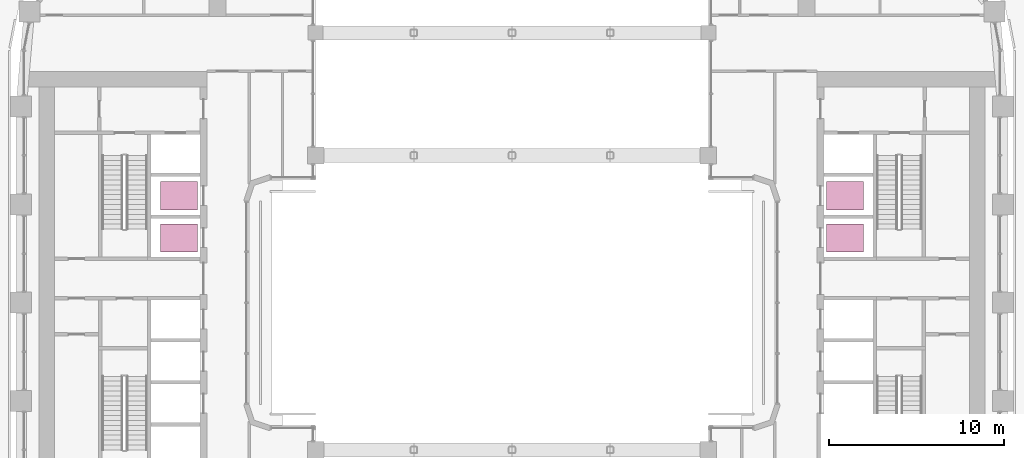
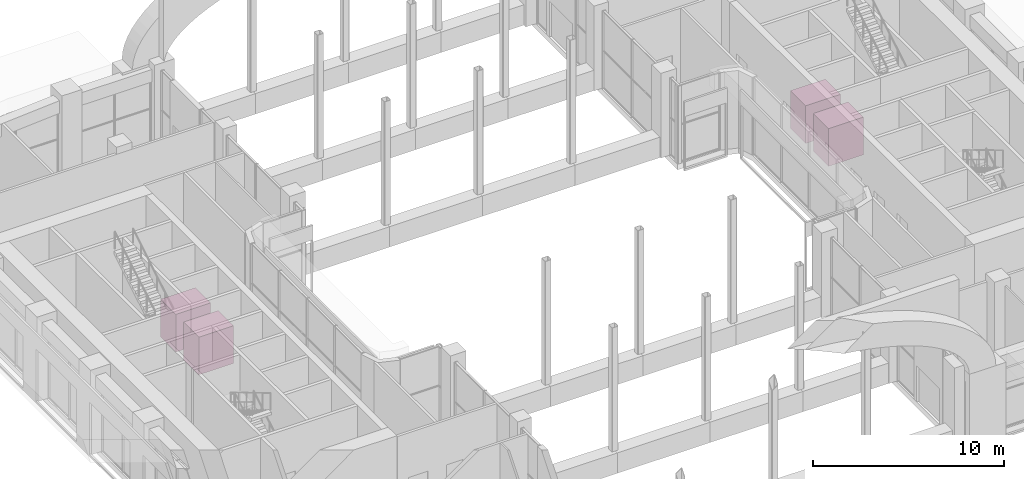
# One storey, part 28 of 28: 4 transport elements.
"""IFC4 building model written with IfcOpenShell, lengths in metres."""

from ifc_helpers import new_model, si_unit, direction, frame, origin, origin_2d, place, context, subcontext, project, spatial, rectangle, extrude, material, type_object, element, save


model = new_model("IFC4")

# Units and contexts
model_context = context("Model", 3, precision=1e-05, world=origin(), true_north=direction((0.0, 1.0)))
body_context = subcontext(model_context, "Body", "Model", "MODEL_VIEW")
ifc_project = project(units=[si_unit("LENGTHUNIT", "METRE"), si_unit("AREAUNIT", "SQUARE_METRE"), si_unit("VOLUMEUNIT", "CUBIC_METRE"), si_unit("PLANEANGLEUNIT", "RADIAN"), si_unit("MASSUNIT", "GRAM", prefix="KILO")], contexts=[model_context])

# Site, building, storey
site_placement = place(None, origin())
site = spatial("IfcSite", under=ifc_project, at=site_placement, CompositionType="ELEMENT")
building_placement = place(site_placement, origin())
building = spatial("IfcBuilding", under=site, at=building_placement, Name="Kiln Ring Residences", CompositionType="ELEMENT")
storey_placement = place(building_placement, frame((0.0, 0.0, 125.300048828125)))
storey = spatial("IfcBuildingStorey", under=building, at=storey_placement, Name="L32", CompositionType="ELEMENT", Elevation=125.300048828125)

# Transport elements
ifc_material = material(Name="Brushed stainless steel", Category="steel")
transport_element_type = type_object("IfcTransportElementType", Name="CORE-LIFT-MID", PredefinedType="ELEVATOR", material=ifc_material)
for number, where, z_axis, x_axis, name in (
    (1, (-19.0, 3.699951171875, 0.0), (0.0, 0.0, 1.0), (1.0, 0.0, 0.0), "Lift W-M1"),
    (2, (-19.0, 6.10009765625, 0.0), (0.0, 0.0, 1.0), (1.0, 0.0, 0.0), "Lift W-M2"),
    (3, (19.0, 3.699951171875, 0.0), (0.0, 0.0, 1.0), (1.0, 0.0, 0.0), "Lift E-M1"),
    (4, (19.0, 6.10009765625, 0.0), (0.0, 0.0, 1.0), (1.0, 0.0, 0.0), "Lift E-M2"),
):
    element("IfcTransportElement", number, at=place(storey_placement, frame(where, z_axis=z_axis, x_axis=x_axis)), inside=storey, type_object=transport_element_type, Name=name, PredefinedType="ELEVATOR", context=body_context, shape_type="SweptSolid", body=[
        extrude(rectangle(XDim=2.10009765625, YDim=1.60009765625, at=origin_2d()), origin(), (0.0, 0.0, 1.0), 2.39990234375),
    ])

save(model, "model.ifc")
